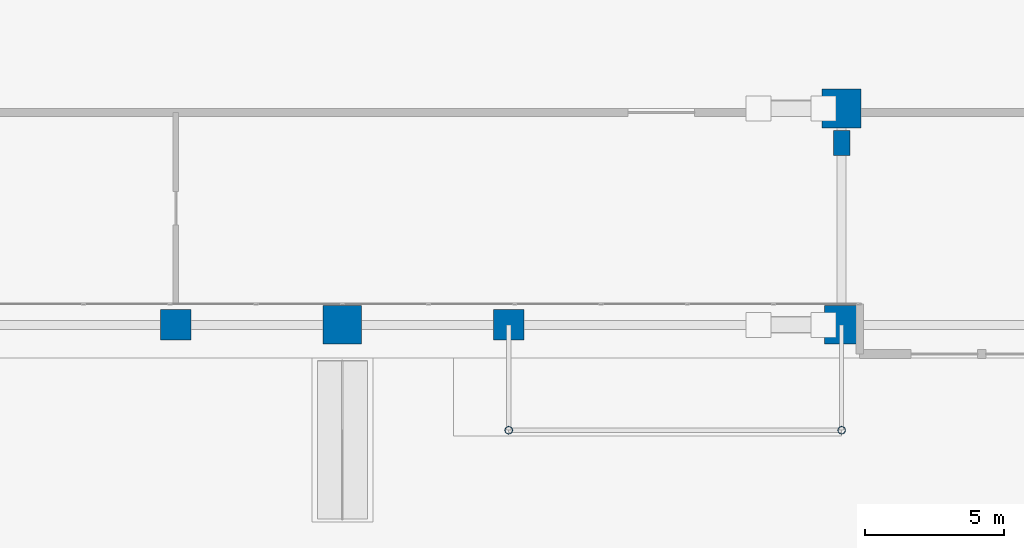
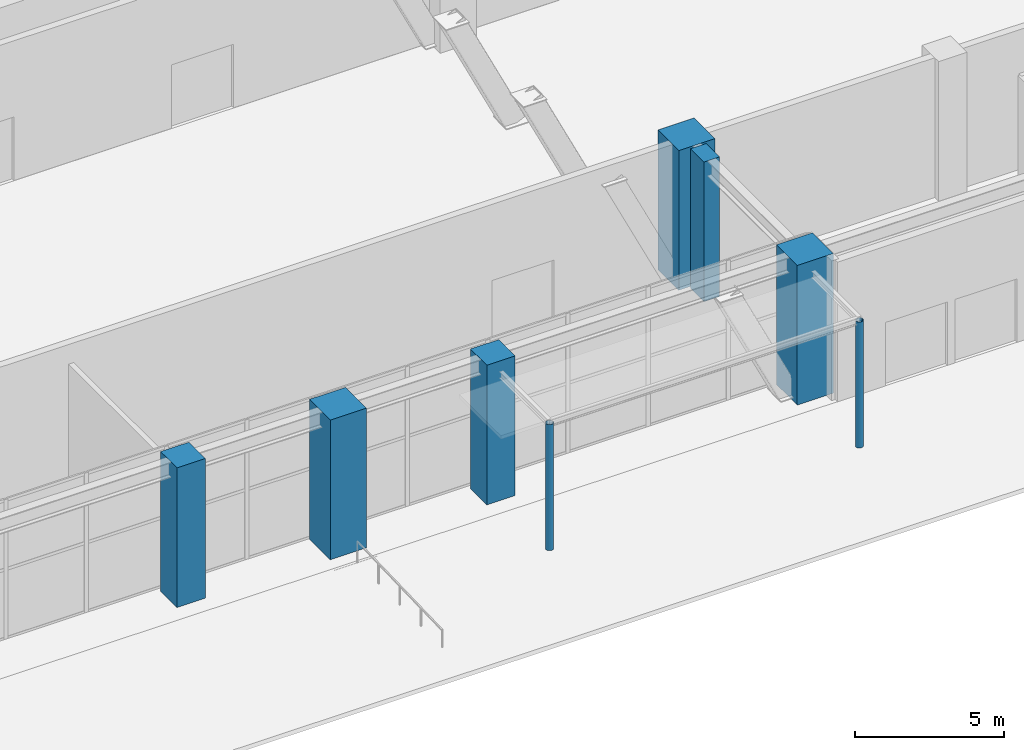
# One storey, part 4 of 49: 8 columns.
"""IFC4 building model written with IfcOpenShell, lengths in metres."""

from ifc_helpers import new_model, si_unit, direction, frame, origin, origin_2d, place, context, subcontext, project, spatial, rectangle, hollow_circle, extrude, material, material_profile, profile_set, type_object, element, save


model = new_model("IFC4")

# Units and contexts
model_context = context("Model", 3, precision=1e-05, world=origin(), true_north=direction((0.0, 1.0)))
body_context = subcontext(model_context, "Body", "Model", "MODEL_VIEW")
ifc_project = project(units=[si_unit("LENGTHUNIT", "METRE"), si_unit("AREAUNIT", "SQUARE_METRE"), si_unit("VOLUMEUNIT", "CUBIC_METRE"), si_unit("PLANEANGLEUNIT", "RADIAN"), si_unit("MASSUNIT", "GRAM", prefix="KILO")], contexts=[model_context])

# Site, building, storey
site_placement = place(None, origin())
site = spatial("IfcSite", under=ifc_project, at=site_placement, CompositionType="ELEMENT")
building_placement = place(site_placement, origin())
building = spatial("IfcBuilding", under=site, at=building_placement, Name="Sarneth Arch Tower", CompositionType="ELEMENT")
storey_placement = place(building_placement, origin())
storey = spatial("IfcBuildingStorey", under=building, at=storey_placement, Name="L00", CompositionType="ELEMENT", Elevation=0.0)

# Columns
ifc_material_1 = material(Name="Steel S355", Category="steel")
ifc_material_profile_1 = material_profile(ifc_material_1, hollow_circle(Radius=0.136474609375, WallThickness=0.010009765625, at=origin_2d()), Name="CHS273x10")
ifc_profile_set_1 = profile_set([ifc_material_profile_1], Name="Steel S355")
column_type_1 = type_object("IfcColumnType", Name="COL-CANOPY-273", PredefinedType="COLUMN", material=ifc_profile_set_1)
for number, where, z_axis, x_axis, name in (
    (1, (54.0, 5.39990234375, 0.0), (0.0, 0.0, 1.0), (1.0, 0.0, 0.0), "Entrance canopy column SOUTH-E.1"),
    (2, (66.0, 5.39990234375, 0.0), (0.0, 0.0, 1.0), (1.0, 0.0, 0.0), "Entrance canopy column SOUTH-E.2"),
):
    element("IfcColumn", number, at=place(storey_placement, frame(where, z_axis=z_axis, x_axis=x_axis)), inside=storey, type_object=column_type_1, Name=name, PredefinedType="COLUMN", context=body_context, shape_type="SweptSolid", body=[
        extrude(hollow_circle(Radius=0.136474609375, WallThickness=0.010009765625, at=origin_2d()), origin(), (0.0, 0.0, 1.0), 5.159912109375),
    ])
ifc_material_2 = material(Name="Concrete C60/75", Category="concrete")
ifc_material_profile_2 = material_profile(ifc_material_2, rectangle(XDim=1.10009765625, YDim=1.10009765625, at=origin_2d()), Name="RC-1100x1100")
ifc_profile_set_2 = profile_set([ifc_material_profile_2], Name="Concrete C60/75")
column_type_2 = type_object("IfcColumnType", Name="COL-RC-1100", PredefinedType="COLUMN", material=ifc_profile_set_2)
for number, where, z_axis, x_axis, name in (
    (3, (42.0, 9.199951171875, 0.0), (0.0, 0.0, 1.0), (1.0, 0.0, 0.0), "L00 Podium column PS04"),
    (4, (54.0, 9.199951171875, 0.0), (0.0, 0.0, 1.0), (1.0, 0.0, 0.0), "L00 Podium column PS05"),
):
    element("IfcColumn", number, at=place(storey_placement, frame(where, z_axis=z_axis, x_axis=x_axis)), inside=storey, type_object=column_type_2, Name=name, PredefinedType="COLUMN", context=body_context, shape_type="SweptSolid", body=[
        extrude(rectangle(XDim=1.10009765625, YDim=1.10009765625, at=origin_2d()), origin(), (0.0, 0.0, 1.0), 5.719970703125),
    ])
ifc_material_3 = material(Name="Concrete C60/75", Category="concrete")
ifc_material_profile_3 = material_profile(ifc_material_3, rectangle(XDim=1.39990234375, YDim=1.39990234375, at=origin_2d()), Name="RC-1400x1400")
ifc_profile_set_3 = profile_set([ifc_material_profile_3], Name="Concrete C60/75")
column_type_3 = type_object("IfcColumnType", Name="COL-RC-1400", PredefinedType="COLUMN", material=ifc_profile_set_3)
for number, where, z_axis, x_axis, name in (
    (5, (66.0, 17.0, 0.0), (0.0, 0.0, 1.0), (1.0, 0.0, 0.0), "L00 Podium column AP-SE"),
    (6, (48.0, 9.199951171875, 0.0), (0.0, 0.0, 1.0), (1.0, 0.0, 0.0), "L00 Podium column PX13"),
    (7, (66.08447265625, 9.199951171875, 0.0), (0.0, 0.0, 1.0), (1.0, 0.0, 0.0), "L00 Podium column PX14"),
):
    element("IfcColumn", number, at=place(storey_placement, frame(where, z_axis=z_axis, x_axis=x_axis)), inside=storey, type_object=column_type_3, Name=name, PredefinedType="COLUMN", context=body_context, shape_type="SweptSolid", body=[
        extrude(rectangle(XDim=1.39990234375, YDim=1.39990234375, at=origin_2d()), origin(), (0.0, 0.0, 1.0), 5.719970703125),
    ])
ifc_material_4 = material(Name="Concrete C60/75", Category="concrete")
ifc_material_profile_4 = material_profile(ifc_material_4, rectangle(XDim=0.60009765625, YDim=0.89990234375, at=origin_2d()), Name="RC-600x900")
ifc_profile_set_4 = profile_set([ifc_material_profile_4], Name="Concrete C60/75")
column_type_4 = type_object("IfcColumnType", Name="PIL-RC-600x900", PredefinedType="PILASTER", material=ifc_profile_set_4)
column_placement = place(storey_placement, frame((66.0, 15.75, 0.0), z_axis=(0.0, 0.0, 1.0), x_axis=(1.0, 0.0, 0.0)))
element("IfcColumn", 8, at=column_placement, inside=storey, type_object=column_type_4, Name="L00 Arch pilaster PIL-SE", PredefinedType="PILASTER", context=body_context, shape_type="SweptSolid", body=[
    extrude(rectangle(XDim=0.60009765625, YDim=0.89990234375, at=origin_2d()), origin(), (0.0, 0.0, 1.0), 5.719970703125),
])

save(model, "model.ifc")
